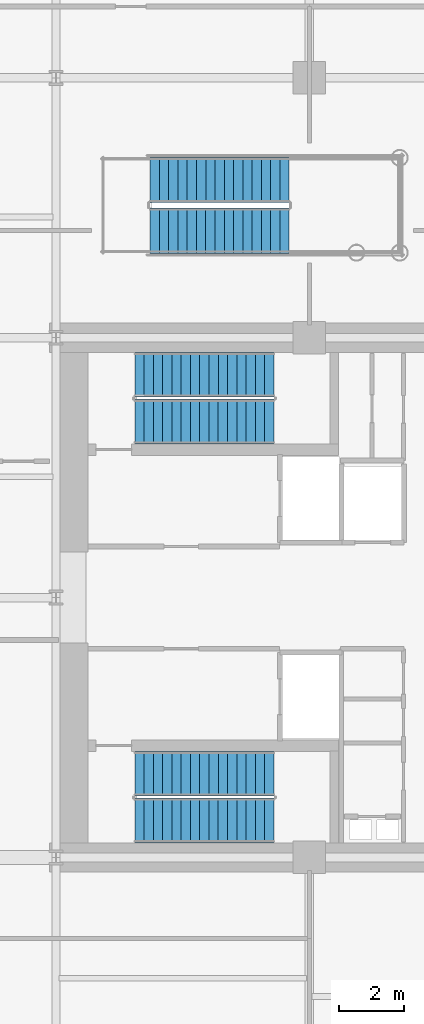
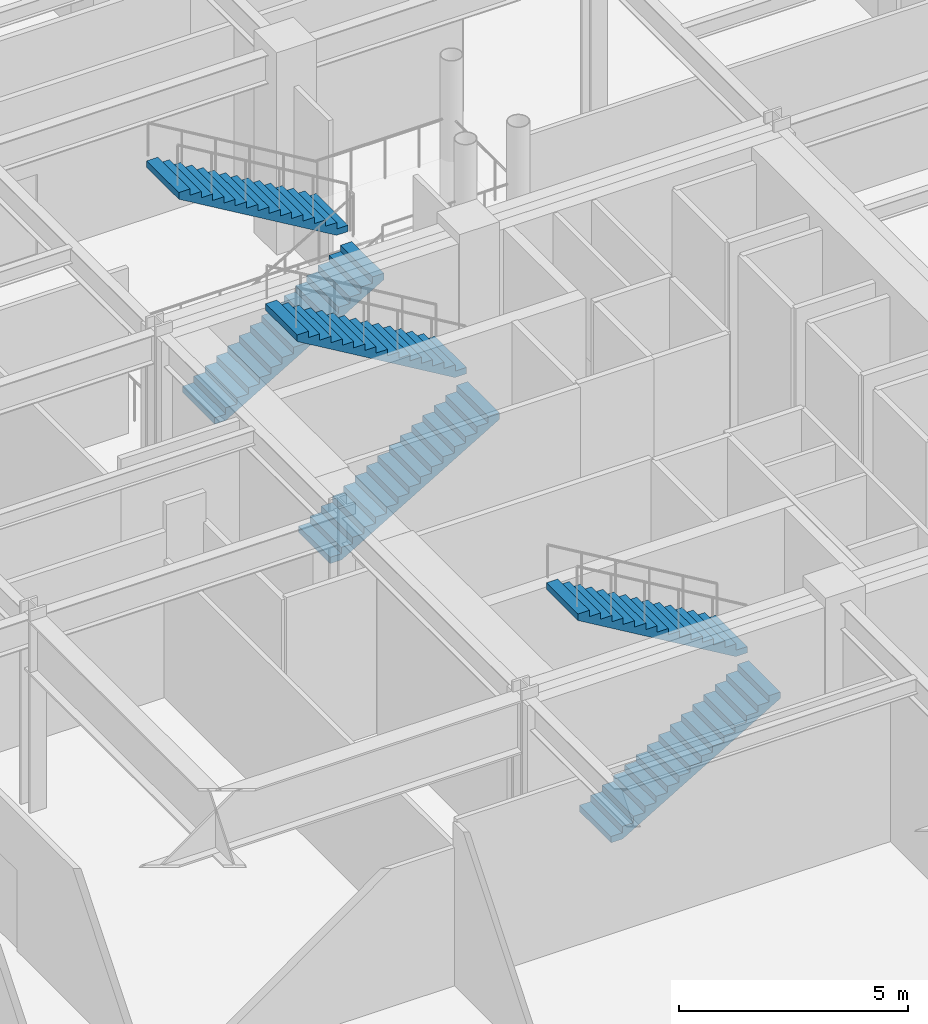
# One storey, part 10 of 12: 6 stair flights, 3 elements without a shape of their own.
"""IFC4 building model written with IfcOpenShell, lengths in metres."""

from ifc_helpers import new_model, si_unit, direction, frame, origin, place, context, subcontext, project, spatial, polyline, outline, extrude, material, type_object, element, aggregate, save


model = new_model("IFC4")

# Units and contexts
model_context = context("Model", 3, precision=1e-05, world=origin(), true_north=direction((0.0, 1.0)))
body_context = subcontext(model_context, "Body", "Model", "MODEL_VIEW")
ifc_project = project(units=[si_unit("LENGTHUNIT", "METRE"), si_unit("AREAUNIT", "SQUARE_METRE"), si_unit("VOLUMEUNIT", "CUBIC_METRE"), si_unit("PLANEANGLEUNIT", "RADIAN"), si_unit("MASSUNIT", "GRAM", prefix="KILO")], contexts=[model_context])

# Site, building, storey
site_placement = place(None, origin())
site = spatial("IfcSite", under=ifc_project, at=site_placement, CompositionType="ELEMENT")
building_placement = place(site_placement, origin())
building = spatial("IfcBuilding", under=site, at=building_placement, Name="Veymaron Broadcast Tower", CompositionType="ELEMENT")
storey_placement = place(building_placement, frame((0.0, 0.0, 10.800048828125)))
storey = spatial("IfcBuildingStorey", under=building, at=storey_placement, Name="L02", CompositionType="ELEMENT", Elevation=10.800048828125)

# Stair, stair flights
ifc_material_1 = material(Name="Concrete C50/60", Category="concrete")
stair_type_1 = type_object("IfcStairType", Name="STAIR-CORE-1", PredefinedType="HALF_TURN_STAIR", material=ifc_material_1)
stair_1_placement = place(storey_placement, origin())
stair_1 = element("IfcStair", 1, at=stair_1_placement, inside=storey, type_object=stair_type_1, Name="L02 North protected dog-leg exit stair ST1", PredefinedType="HALF_TURN_STAIR")
ifc_material_2 = material(Name="Precast concrete C50/60", Category="concrete")
stair_flight_type_1 = type_object("IfcStairFlightType", Name="FLT-CORE-RC", PredefinedType="STRAIGHT", material=ifc_material_2)
stair_flight_1_placement = place(storey_placement, frame((41.429931640625, 29.419921875, 0.0), z_axis=(0.0, 0.0, 1.0), x_axis=(1.0, 0.0, 0.0)))
stair_flight_1 = element("IfcStairFlight", 2, at=stair_flight_1_placement, type_object=stair_flight_type_1, Name="ST1 flight 1", NumberOfRisers=16, NumberOfTreads=15, PredefinedType="STRAIGHT", RiserHeight=0.16875, TreadLength=0.285, context=body_context, shape_type="SweptSolid", body=[
    extrude(outline(polyline([(0.0, 0.0), (0.0, 0.168701171875), (0.284912109375, 0.168701171875), (0.284912109375, 0.33740234375), (0.570068359375, 0.33740234375), (0.570068359375, 0.50634765625), (0.85498046875, 0.50634765625), (0.85498046875, 0.675048828125), (1.139892578125, 0.675048828125), (1.139892578125, 0.84375), (1.425048828125, 0.84375), (1.425048828125, 1.012451171875), (1.7099609375, 1.012451171875), (1.7099609375, 1.18115234375), (1.9951171875, 1.18115234375), (1.9951171875, 1.35009765625), (2.280029296875, 1.35009765625), (2.280029296875, 1.518798828125), (2.56494140625, 1.518798828125), (2.56494140625, 1.6875), (2.85009765625, 1.6875), (2.85009765625, 1.856201171875), (3.135009765625, 1.856201171875), (3.135009765625, 2.02490234375), (3.419921875, 2.02490234375), (3.419921875, 2.19384765625), (3.705078125, 2.19384765625), (3.705078125, 2.362548828125), (3.989990234375, 2.362548828125), (3.989990234375, 2.53125), (4.27490234375, 2.53125), (4.27490234375, 2.699951171875), (4.27490234375, 2.35693359375), (0.294189453125, 0.0), (0.0, 0.0)])), frame((0.0, 0.68994140625, 0.0), z_axis=(0.0, -1.0, 0.0), x_axis=(1.0, 0.0, 0.0)), (0.0, 0.0, 1.0), 1.3798828125),
])
stair_flight_2_placement = place(storey_placement, frame((45.705078125, 30.860107421875, 2.699951171875), z_axis=(0.0, 0.0, 1.0), x_axis=(-1.0, 0.0, 0.0)))
stair_flight_2 = element("IfcStairFlight", 3, at=stair_flight_2_placement, type_object=stair_flight_type_1, Name="ST1 flight 2", NumberOfRisers=16, NumberOfTreads=15, PredefinedType="STRAIGHT", RiserHeight=0.16875, TreadLength=0.285, context=body_context, shape_type="SweptSolid", body=[
    extrude(outline(polyline([(0.0, 0.0), (0.0, 0.168701171875), (0.284912109375, 0.168701171875), (0.284912109375, 0.33740234375), (0.570068359375, 0.33740234375), (0.570068359375, 0.50634765625), (0.85498046875, 0.50634765625), (0.85498046875, 0.675048828125), (1.139892578125, 0.675048828125), (1.139892578125, 0.84375), (1.425048828125, 0.84375), (1.425048828125, 1.012451171875), (1.7099609375, 1.012451171875), (1.7099609375, 1.18115234375), (1.9951171875, 1.18115234375), (1.9951171875, 1.35009765625), (2.280029296875, 1.35009765625), (2.280029296875, 1.518798828125), (2.56494140625, 1.518798828125), (2.56494140625, 1.6875), (2.85009765625, 1.6875), (2.85009765625, 1.856201171875), (3.135009765625, 1.856201171875), (3.135009765625, 2.02490234375), (3.419921875, 2.02490234375), (3.419921875, 2.19384765625), (3.705078125, 2.19384765625), (3.705078125, 2.362548828125), (3.989990234375, 2.362548828125), (3.989990234375, 2.53125), (4.27490234375, 2.53125), (4.27490234375, 2.699951171875), (4.27490234375, 2.35693359375), (0.294189453125, 0.0), (0.0, 0.0)])), frame((0.0, 0.68994140625, 0.0), z_axis=(0.0, -1.0, 0.0), x_axis=(1.0, 0.0, 0.0)), (0.0, 0.0, 1.0), 1.3798828125),
])
aggregate(stair_1, [stair_flight_1, stair_flight_2])

stair_type_2 = type_object("IfcStairType", Name="STAIR-CORE-2", PredefinedType="HALF_TURN_STAIR", material=ifc_material_1)
stair_2_placement = place(storey_placement, origin())
stair_2 = element("IfcStair", 4, at=stair_2_placement, inside=storey, type_object=stair_type_2, Name="L02 South protected dog-leg exit stair ST2", PredefinedType="HALF_TURN_STAIR")
stair_flight_3_placement = place(storey_placement, frame((41.429931640625, 17.139892578125, 0.0), z_axis=(0.0, 0.0, 1.0), x_axis=(1.0, 0.0, 0.0)))
stair_flight_3 = element("IfcStairFlight", 5, at=stair_flight_3_placement, type_object=stair_flight_type_1, Name="ST2 flight 1", NumberOfRisers=16, NumberOfTreads=15, PredefinedType="STRAIGHT", RiserHeight=0.16875, TreadLength=0.285, context=body_context, shape_type="SweptSolid", body=[
    extrude(outline(polyline([(0.0, 0.0), (0.0, 0.168701171875), (0.284912109375, 0.168701171875), (0.284912109375, 0.33740234375), (0.570068359375, 0.33740234375), (0.570068359375, 0.50634765625), (0.85498046875, 0.50634765625), (0.85498046875, 0.675048828125), (1.139892578125, 0.675048828125), (1.139892578125, 0.84375), (1.425048828125, 0.84375), (1.425048828125, 1.012451171875), (1.7099609375, 1.012451171875), (1.7099609375, 1.18115234375), (1.9951171875, 1.18115234375), (1.9951171875, 1.35009765625), (2.280029296875, 1.35009765625), (2.280029296875, 1.518798828125), (2.56494140625, 1.518798828125), (2.56494140625, 1.6875), (2.85009765625, 1.6875), (2.85009765625, 1.856201171875), (3.135009765625, 1.856201171875), (3.135009765625, 2.02490234375), (3.419921875, 2.02490234375), (3.419921875, 2.19384765625), (3.705078125, 2.19384765625), (3.705078125, 2.362548828125), (3.989990234375, 2.362548828125), (3.989990234375, 2.53125), (4.27490234375, 2.53125), (4.27490234375, 2.699951171875), (4.27490234375, 2.35693359375), (0.294189453125, 0.0), (0.0, 0.0)])), frame((0.0, 0.68994140625, 0.0), z_axis=(0.0, -1.0, 0.0), x_axis=(1.0, 0.0, 0.0)), (0.0, 0.0, 1.0), 1.3798828125),
])
stair_flight_4_placement = place(storey_placement, frame((45.705078125, 18.580078125, 2.699951171875), z_axis=(0.0, 0.0, 1.0), x_axis=(-1.0, 0.0, 0.0)))
stair_flight_4 = element("IfcStairFlight", 6, at=stair_flight_4_placement, type_object=stair_flight_type_1, Name="ST2 flight 2", NumberOfRisers=16, NumberOfTreads=15, PredefinedType="STRAIGHT", RiserHeight=0.16875, TreadLength=0.285, context=body_context, shape_type="SweptSolid", body=[
    extrude(outline(polyline([(0.0, 0.0), (0.0, 0.168701171875), (0.284912109375, 0.168701171875), (0.284912109375, 0.33740234375), (0.570068359375, 0.33740234375), (0.570068359375, 0.50634765625), (0.85498046875, 0.50634765625), (0.85498046875, 0.675048828125), (1.139892578125, 0.675048828125), (1.139892578125, 0.84375), (1.425048828125, 0.84375), (1.425048828125, 1.012451171875), (1.7099609375, 1.012451171875), (1.7099609375, 1.18115234375), (1.9951171875, 1.18115234375), (1.9951171875, 1.35009765625), (2.280029296875, 1.35009765625), (2.280029296875, 1.518798828125), (2.56494140625, 1.518798828125), (2.56494140625, 1.6875), (2.85009765625, 1.6875), (2.85009765625, 1.856201171875), (3.135009765625, 1.856201171875), (3.135009765625, 2.02490234375), (3.419921875, 2.02490234375), (3.419921875, 2.19384765625), (3.705078125, 2.19384765625), (3.705078125, 2.362548828125), (3.989990234375, 2.362548828125), (3.989990234375, 2.53125), (4.27490234375, 2.53125), (4.27490234375, 2.699951171875), (4.27490234375, 2.35693359375), (0.294189453125, 0.0), (0.0, 0.0)])), frame((0.0, 0.68994140625, 0.0), z_axis=(0.0, -1.0, 0.0), x_axis=(1.0, 0.0, 0.0)), (0.0, 0.0, 1.0), 1.3798828125),
])
aggregate(stair_2, [stair_flight_3, stair_flight_4])

ifc_material_3 = material(Name="Structural steel ASTM A992 Gr 50", Category="steel")
stair_type_3 = type_object("IfcStairType", Name="STAIR-FEAT-01", PredefinedType="HALF_TURN_STAIR", material=ifc_material_3)
stair_3_placement = place(storey_placement, origin())
stair_3 = element("IfcStair", 7, at=stair_3_placement, inside=storey, type_object=stair_type_3, Name="L02 Waterfront concourse monumental feature stair STF1", PredefinedType="HALF_TURN_STAIR")
stair_flight_type_2 = type_object("IfcStairFlightType", Name="FLT-FEAT-STL", PredefinedType="STRAIGHT", material=ifc_material_3)
stair_flight_5_placement = place(storey_placement, frame((41.89990234375, 35.300048828125, 0.0), z_axis=(0.0, 0.0, 1.0), x_axis=(1.0, 0.0, 0.0)))
stair_flight_5 = element("IfcStairFlight", 8, at=stair_flight_5_placement, type_object=stair_flight_type_2, Name="STF1 flight 1", NumberOfRisers=16, NumberOfTreads=15, PredefinedType="STRAIGHT", RiserHeight=0.16875, TreadLength=0.285, context=body_context, shape_type="SweptSolid", body=[
    extrude(outline(polyline([(0.0, 0.0), (0.0, 0.168701171875), (0.284912109375, 0.168701171875), (0.284912109375, 0.33740234375), (0.570068359375, 0.33740234375), (0.570068359375, 0.50634765625), (0.85498046875, 0.50634765625), (0.85498046875, 0.675048828125), (1.139892578125, 0.675048828125), (1.139892578125, 0.84375), (1.425048828125, 0.84375), (1.425048828125, 1.012451171875), (1.7099609375, 1.012451171875), (1.7099609375, 1.18115234375), (1.9951171875, 1.18115234375), (1.9951171875, 1.35009765625), (2.280029296875, 1.35009765625), (2.280029296875, 1.518798828125), (2.56494140625, 1.518798828125), (2.56494140625, 1.6875), (2.85009765625, 1.6875), (2.85009765625, 1.856201171875), (3.135009765625, 1.856201171875), (3.135009765625, 2.02490234375), (3.419921875, 2.02490234375), (3.419921875, 2.19384765625), (3.705078125, 2.19384765625), (3.705078125, 2.362548828125), (3.989990234375, 2.362548828125), (3.989990234375, 2.53125), (4.27490234375, 2.53125), (4.27490234375, 2.699951171875), (4.27490234375, 2.35693359375), (0.294189453125, 0.0), (0.0, 0.0)])), frame((0.0, 0.699951171875, 0.0), z_axis=(0.0, -1.0, 0.0), x_axis=(1.0, 0.0, 0.0)), (0.0, 0.0, 1.0), 1.39990234375),
])
stair_flight_6_placement = place(storey_placement, frame((46.175048828125, 36.860107421875, 2.699951171875), z_axis=(0.0, 0.0, 1.0), x_axis=(-1.0, 0.0, 0.0)))
stair_flight_6 = element("IfcStairFlight", 9, at=stair_flight_6_placement, type_object=stair_flight_type_2, Name="STF1 flight 2", NumberOfRisers=16, NumberOfTreads=15, PredefinedType="STRAIGHT", RiserHeight=0.16875, TreadLength=0.285, context=body_context, shape_type="SweptSolid", body=[
    extrude(outline(polyline([(0.0, 0.0), (0.0, 0.168701171875), (0.284912109375, 0.168701171875), (0.284912109375, 0.33740234375), (0.570068359375, 0.33740234375), (0.570068359375, 0.50634765625), (0.85498046875, 0.50634765625), (0.85498046875, 0.675048828125), (1.139892578125, 0.675048828125), (1.139892578125, 0.84375), (1.425048828125, 0.84375), (1.425048828125, 1.012451171875), (1.7099609375, 1.012451171875), (1.7099609375, 1.18115234375), (1.9951171875, 1.18115234375), (1.9951171875, 1.35009765625), (2.280029296875, 1.35009765625), (2.280029296875, 1.518798828125), (2.56494140625, 1.518798828125), (2.56494140625, 1.6875), (2.85009765625, 1.6875), (2.85009765625, 1.856201171875), (3.135009765625, 1.856201171875), (3.135009765625, 2.02490234375), (3.419921875, 2.02490234375), (3.419921875, 2.19384765625), (3.705078125, 2.19384765625), (3.705078125, 2.362548828125), (3.989990234375, 2.362548828125), (3.989990234375, 2.53125), (4.27490234375, 2.53125), (4.27490234375, 2.699951171875), (4.27490234375, 2.35693359375), (0.294189453125, 0.0), (0.0, 0.0)])), frame((0.0, 0.699951171875, 0.0), z_axis=(0.0, -1.0, 0.0), x_axis=(1.0, 0.0, 0.0)), (0.0, 0.0, 1.0), 1.39990234375),
])
aggregate(stair_3, [stair_flight_5, stair_flight_6])

save(model, "model.ifc")
